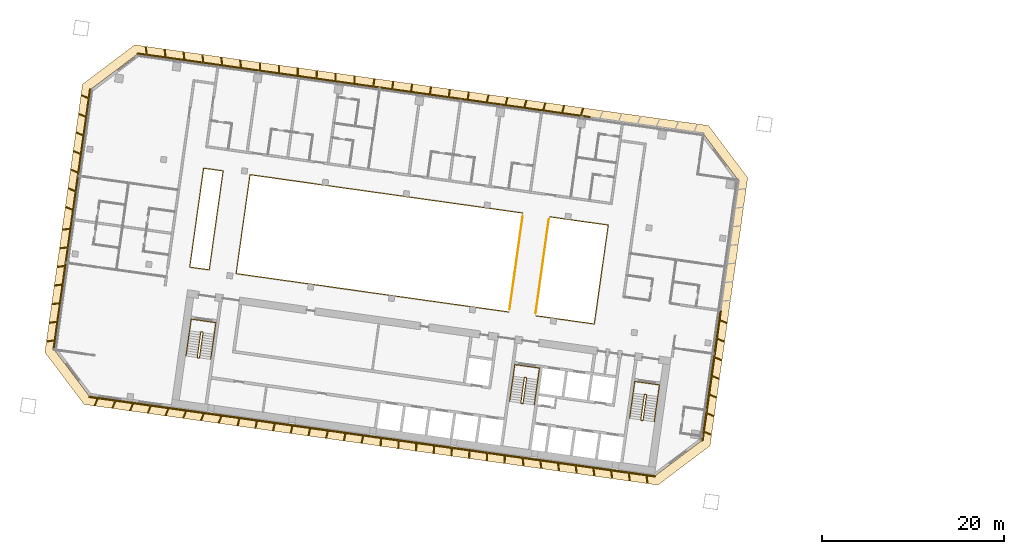
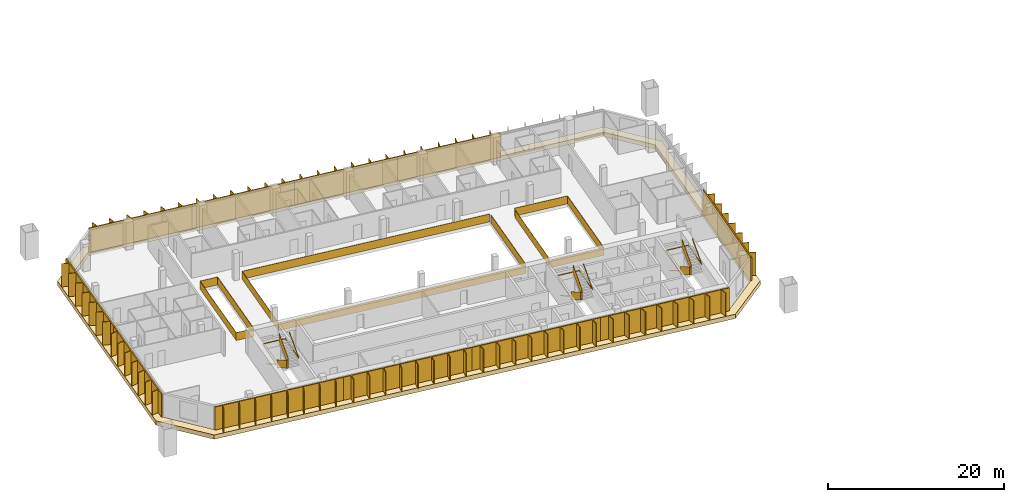
# One storey, part 23 of 25: 11 railings, 11 shading devices, 1 covering.
"""IFC4 building model written with IfcOpenShell, lengths in metres."""

from ifc_helpers import new_model, si_unit, direction, frame, origin, origin_2d, place, context, subcontext, project, spatial, polyline, rectangle, outline, extrude, material, layer, layer_set, type_object, element, save


model = new_model("IFC4")

# Units and contexts
model_context = context("Model", 3, precision=1e-05, world=origin(), true_north=direction((0.0, 1.0)))
body_context = subcontext(model_context, "Body", "Model", "MODEL_VIEW")
ifc_project = project(units=[si_unit("LENGTHUNIT", "METRE"), si_unit("AREAUNIT", "SQUARE_METRE"), si_unit("VOLUMEUNIT", "CUBIC_METRE"), si_unit("PLANEANGLEUNIT", "RADIAN"), si_unit("MASSUNIT", "GRAM", prefix="KILO")], contexts=[model_context])

# Site, building, storey
site_placement = place(None, origin())
site = spatial("IfcSite", under=ifc_project, at=site_placement, CompositionType="ELEMENT")
building_placement = place(site_placement, origin())
building = spatial("IfcBuilding", under=site, at=building_placement, Name="Mirante Cascada Hotel Towers", CompositionType="ELEMENT")
storey_placement = place(building_placement, frame((0.0, 0.0, 102.5)))
storey = spatial("IfcBuildingStorey", under=building, at=storey_placement, Name="L22", CompositionType="ELEMENT", Elevation=102.5)

# Railings
ifc_material_1 = material(Name="Toughened glass with stainless steel handrail", Category="steel")
railing_type_1 = type_object("IfcRailingType", Name="Atrium guard 1100 glass balustrade", PredefinedType="GUARDRAIL", material=ifc_material_1)
railing_1_placement = place(storey_placement, frame((-48.76, 8.3112, 0.0)))
element("IfcRailing", 1, at=railing_1_placement, inside=storey, type_object=railing_type_1, Name="GUARD 1-L22-1", PredefinedType="GUARDRAIL", context=body_context, shape_type="SweptSolid", body=[
    extrude(rectangle(XDim=0.048, YDim=0.048, at=origin_2d()), frame((0.0, 0.0, 1.076), z_axis=(0.9902694, -0.1391638, 0.0), x_axis=(0.1391638, 0.9902694, 0.0)), (0.0, 0.0, 1.0), 6.5125),
    extrude(rectangle(XDim=0.02, YDim=1.052, at=origin_2d()), frame((0.0, 0.0, 0.526), z_axis=(0.9902694, -0.1391638, 0.0), x_axis=(0.1391638, 0.9902694, 0.0)), (0.0, 0.0, 1.0), 6.5125),
    extrude(rectangle(XDim=0.048, YDim=0.048, at=origin_2d()), frame((6.4491, -0.9063, 1.076), z_axis=(-0.1391721, -0.9902682, 0.0), x_axis=(0.9902682, -0.1391721, 0.0)), (0.0, 0.0, 1.0), 11.0001),
    extrude(rectangle(XDim=0.02, YDim=1.052, at=origin_2d()), frame((6.4491, -0.9063, 0.526), z_axis=(-0.1391721, -0.9902682, 0.0), x_axis=(0.9902682, -0.1391721, 0.0)), (0.0, 0.0, 1.0), 11.0001),
    extrude(rectangle(XDim=0.048, YDim=0.048, at=origin_2d()), frame((4.9182, -11.7993, 1.076), z_axis=(-0.9902673, 0.1391788, 0.0), x_axis=(-0.1391788, -0.9902673, 0.0)), (0.0, 0.0, 1.0), 6.5125),
    extrude(rectangle(XDim=0.02, YDim=1.052, at=origin_2d()), frame((4.9182, -11.7993, 0.526), z_axis=(-0.9902673, 0.1391788, 0.0), x_axis=(-0.1391788, -0.9902673, 0.0)), (0.0, 0.0, 1.0), 6.5125),
])
railing_2_placement = place(storey_placement, frame((-53.2617, -2.1642, 0.0)))
element("IfcRailing", 2, at=railing_2_placement, inside=storey, type_object=railing_type_1, Name="GUARD 1-L22-2", PredefinedType="GUARDRAIL", context=body_context, shape_type="SweptSolid", body=[
    extrude(rectangle(XDim=0.048, YDim=0.048, at=origin_2d()), frame((0.0, 0.0, 1.076), z_axis=(-0.9902682, 0.1391722, 0.0), x_axis=(-0.1391722, -0.9902682, 0.0)), (0.0, 0.0, 1.0), 30.325),
    extrude(rectangle(XDim=0.02, YDim=1.052, at=origin_2d()), frame((0.0, 0.0, 0.526), z_axis=(-0.9902682, 0.1391722, 0.0), x_axis=(-0.1391722, -0.9902682, 0.0)), (0.0, 0.0, 1.0), 30.325),
    extrude(rectangle(XDim=0.048, YDim=0.048, at=origin_2d()), frame((-30.0299, 4.2204, 1.076), z_axis=(0.1391721, 0.9902682, 0.0), x_axis=(-0.9902682, 0.1391721, 0.0)), (0.0, 0.0, 1.0), 11.0001),
    extrude(rectangle(XDim=0.02, YDim=1.052, at=origin_2d()), frame((-30.0299, 4.2204, 0.526), z_axis=(0.1391721, 0.9902682, 0.0), x_axis=(-0.9902682, 0.1391721, 0.0)), (0.0, 0.0, 1.0), 11.0001),
    extrude(rectangle(XDim=0.048, YDim=0.048, at=origin_2d()), frame((-28.499, 15.1134, 1.076), z_axis=(0.9902682, -0.1391722, 0.0), x_axis=(0.1391722, 0.9902682, 0.0)), (0.0, 0.0, 1.0), 30.325),
    extrude(rectangle(XDim=0.02, YDim=1.052, at=origin_2d()), frame((-28.499, 15.1134, 0.526), z_axis=(0.9902682, -0.1391722, 0.0), x_axis=(0.1391722, 0.9902682, 0.0)), (0.0, 0.0, 1.0), 30.325),
])
railing_3_placement = place(storey_placement, frame((-86.2624, 2.4738, 0.0)))
element("IfcRailing", 3, at=railing_3_placement, inside=storey, type_object=railing_type_1, Name="GUARD 1-L22-3", PredefinedType="GUARDRAIL", context=body_context, shape_type="SweptSolid", body=[
    extrude(rectangle(XDim=0.048, YDim=0.048, at=origin_2d()), frame((0.0, 0.0, 1.076), z_axis=(-0.9902724, 0.1391422, 0.0), x_axis=(-0.1391422, -0.9902724, 0.0)), (0.0, 0.0, 1.0), 2.1625),
    extrude(rectangle(XDim=0.02, YDim=1.052, at=origin_2d()), frame((0.0, 0.0, 0.526), z_axis=(-0.9902724, 0.1391422, 0.0), x_axis=(-0.1391422, -0.9902724, 0.0)), (0.0, 0.0, 1.0), 2.1625),
    extrude(rectangle(XDim=0.048, YDim=0.048, at=origin_2d()), frame((-2.1415, 0.3009, 1.076), z_axis=(0.1391721, 0.9902682, 0.0), x_axis=(-0.9902682, 0.1391721, 0.0)), (0.0, 0.0, 1.0), 11.0001),
    extrude(rectangle(XDim=0.02, YDim=1.052, at=origin_2d()), frame((-2.1415, 0.3009, 0.526), z_axis=(0.1391721, 0.9902682, 0.0), x_axis=(-0.9902682, 0.1391721, 0.0)), (0.0, 0.0, 1.0), 11.0001),
    extrude(rectangle(XDim=0.048, YDim=0.048, at=origin_2d()), frame((-0.6106, 11.1939, 1.076), z_axis=(0.990266, -0.1391875, 0.0), x_axis=(0.1391875, 0.990266, 0.0)), (0.0, 0.0, 1.0), 2.1626),
    extrude(rectangle(XDim=0.02, YDim=1.052, at=origin_2d()), frame((-0.6106, 11.1939, 0.526), z_axis=(0.990266, -0.1391875, 0.0), x_axis=(0.1391875, 0.990266, 0.0)), (0.0, 0.0, 1.0), 2.1626),
    extrude(rectangle(XDim=0.048, YDim=0.048, at=origin_2d()), frame((1.5309, 10.8929, 1.076), z_axis=(-0.1391733, -0.990268, 0.0), x_axis=(0.990268, -0.1391733, 0.0)), (0.0, 0.0, 1.0), 11.0),
    extrude(rectangle(XDim=0.02, YDim=1.052, at=origin_2d()), frame((1.5309, 10.8929, 0.526), z_axis=(-0.1391733, -0.990268, 0.0), x_axis=(0.990268, -0.1391733, 0.0)), (0.0, 0.0, 1.0), 11.0),
])
railing_4_placement = place(storey_placement, frame((-53.172, -1.8782, 0.0)))
element("IfcRailing", 4, at=railing_4_placement, inside=storey, type_object=railing_type_1, Name="GUARD 1-L22-4", PredefinedType="GUARDRAIL", context=body_context, shape_type="SweptSolid", body=[
    extrude(rectangle(XDim=0.048, YDim=0.048, at=origin_2d()), frame((0.0, 0.0, 1.076), z_axis=(0.1391721, 0.9902682, 0.0), x_axis=(-0.9902682, 0.1391721, 0.0)), (0.0, 0.0, 1.0), 10.4087),
    extrude(rectangle(XDim=0.02, YDim=1.052, at=origin_2d()), frame((0.0, 0.0, 0.526), z_axis=(0.1391721, 0.9902682, 0.0), x_axis=(-0.9902682, 0.1391721, 0.0)), (0.0, 0.0, 1.0), 10.4087),
])
railing_5_placement = place(storey_placement, frame((-48.8497, 8.0253, 0.0)))
element("IfcRailing", 5, at=railing_5_placement, inside=storey, type_object=railing_type_1, Name="GUARD 1-L22-5", PredefinedType="GUARDRAIL", context=body_context, shape_type="SweptSolid", body=[
    extrude(rectangle(XDim=0.048, YDim=0.048, at=origin_2d()), frame((0.0, 0.0, 1.076), z_axis=(-0.1391708, -0.9902684, 0.0), x_axis=(0.9902684, -0.1391708, 0.0)), (0.0, 0.0, 1.0), 10.4088),
    extrude(rectangle(XDim=0.02, YDim=1.052, at=origin_2d()), frame((0.0, 0.0, 0.526), z_axis=(-0.1391708, -0.9902684, 0.0), x_axis=(0.9902684, -0.1391708, 0.0)), (0.0, 0.0, 1.0), 10.4088),
])

# Covering
ifc_material_2 = material(Name="Precast concrete C40/50 white", Category="concrete")
ifc_layer = layer(ifc_material_2, 0.6)
ifc_layer_set = layer_set([ifc_layer], Name="Precast concrete SUNSHADE band 1000x600")
covering_type = type_object("IfcCoveringType", Name="Precast concrete SUNSHADE band 1000x600", PredefinedType="CLADDING", material=ifc_layer_set)
covering_placement = place(storey_placement, frame((0.0, 0.0, -0.45)))
element("IfcCovering", 6, at=covering_placement, inside=storey, type_object=covering_type, Name="Precast concrete SUNSHADE band T1 L22", PredefinedType="CLADDING", context=body_context, shape_type="SweptSolid", body=[
    extrude(outline(polyline([(-104.3652, -6.6094), (-100.2139, 22.9287), (-94.4698, 27.2572), (-31.2626, 18.374), (-26.9341, 12.6299), (-31.0854, -16.9082), (-36.8295, -21.2367), (-100.0367, -12.3535), (-104.3652, -6.6094)]), holes=[polyline([(-27.982, 12.3589), (-31.8119, 17.4414), (-94.1988, 26.2093), (-99.2813, 22.3794), (-103.3173, -6.3384), (-99.4874, -11.4209), (-37.1005, -20.1888), (-32.018, -16.3589), (-27.982, 12.3589)])]), origin(), (0.0, 0.0, 1.0), 0.6),
])

# Railings
ifc_material_3 = material(Name="Painted steel", Category="steel")
railing_type_2 = type_object("IfcRailingType", Name="Stair guard 1100 steel balustrade", PredefinedType="GUARDRAIL", material=ifc_material_3)
railing_6_placement = place(storey_placement, frame((-38.1178, -11.2603, 0.0)))
element("IfcRailing", 7, at=railing_6_placement, inside=storey, type_object=railing_type_2, Name="L22 ST1-A stair guard 1", PredefinedType="GUARDRAIL", context=body_context, shape_type="SweptSolid", body=[
    extrude(rectangle(XDim=0.048, YDim=0.048, at=origin_2d()), frame((0.0, 0.0, 1.076), z_axis=(-0.9903326, 0.1387133, 0.0), x_axis=(-0.1387133, -0.9903326, 0.0)), (0.0, 0.0, 1.0), 0.1499),
    extrude(rectangle(XDim=0.02, YDim=1.052, at=origin_2d()), frame((0.0, 0.0, 0.526), z_axis=(-0.9903326, 0.1387133, 0.0), x_axis=(-0.1387133, -0.9903326, 0.0)), (0.0, 0.0, 1.0), 0.1499),
    extrude(rectangle(XDim=0.048, YDim=0.048, at=origin_2d()), frame((-0.1485, 0.0208, 1.076), z_axis=(-0.7991505, -0.6011309, 0.0), x_axis=(0.6011309, -0.7991505, 0.0)), (0.0, 0.9254529, 0.3788627), 0.1866),
    extrude(rectangle(XDim=0.02, YDim=1.052, at=origin_2d()), frame((-0.1485, 0.0208, 0.526), z_axis=(-0.7991505, -0.6011309, 0.0), x_axis=(0.6011309, -0.7991505, 0.0)), (0.0, 0.9254529, 0.3788627), 0.1866),
    extrude(rectangle(XDim=0.048, YDim=0.048, at=origin_2d()), frame((-0.205, -0.0217, 1.2487), z_axis=(-0.139176, -0.9902677, 0.0), x_axis=(0.9902677, -0.139176, 0.0)), (0.0, 0.5250212, 0.8510891), 3.29),
    extrude(rectangle(XDim=0.02, YDim=1.052, at=origin_2d()), frame((-0.205, -0.0217, 0.6987), z_axis=(-0.139176, -0.9902677, 0.0), x_axis=(0.9902677, -0.139176, 0.0)), (0.0, 0.5250212, 0.8510891), 3.29),
    extrude(rectangle(XDim=0.048, YDim=0.048, at=origin_2d()), frame((-0.5947, -2.7945, 2.976), z_axis=(0.9270311, -0.3749843, 0.0), x_axis=(0.3749843, 0.9270311, 0.0)), (0.0, 0.0, 1.0), 0.2061),
    extrude(rectangle(XDim=0.02, YDim=1.052, at=origin_2d()), frame((-0.5947, -2.7945, 2.426), z_axis=(0.9270311, -0.3749843, 0.0), x_axis=(0.3749843, 0.9270311, 0.0)), (0.0, 0.0, 1.0), 0.2061),
    extrude(rectangle(XDim=0.048, YDim=0.048, at=origin_2d()), frame((-0.4036, -2.8718, 2.976), z_axis=(-0.9902408, 0.1393672, 0.0), x_axis=(-0.1393672, -0.9902408, 0.0)), (0.0, 0.0, 1.0), 0.15),
    extrude(rectangle(XDim=0.02, YDim=1.052, at=origin_2d()), frame((-0.4036, -2.8718, 2.426), z_axis=(-0.9902408, 0.1393672, 0.0), x_axis=(-0.1393672, -0.9902408, 0.0)), (0.0, 0.0, 1.0), 0.15),
    extrude(rectangle(XDim=0.048, YDim=0.048, at=origin_2d()), frame((-0.5521, -2.8509, 2.976), z_axis=(0.9944948, 0.1047858, 0.0), x_axis=(-0.1047858, 0.9944948, 0.0)), (0.0, 0.6422034, 0.7665343), 0.2689),
    extrude(rectangle(XDim=0.02, YDim=1.052, at=origin_2d()), frame((-0.5521, -2.8509, 2.426), z_axis=(0.9944948, 0.1047858, 0.0), x_axis=(-0.1047858, 0.9944948, 0.0)), (0.0, 0.6422034, 0.7665343), 0.2689),
    extrude(rectangle(XDim=0.048, YDim=0.048, at=origin_2d()), frame((-0.3471, -2.8293, 3.1487), z_axis=(0.139176, 0.9902677, 0.0), x_axis=(-0.9902677, 0.139176, 0.0)), (0.0, 0.5250212, 0.8510891), 3.29),
    extrude(rectangle(XDim=0.02, YDim=1.052, at=origin_2d()), frame((-0.3471, -2.8293, 2.5987), z_axis=(0.139176, 0.9902677, 0.0), x_axis=(-0.9902677, 0.139176, 0.0)), (0.0, 0.5250212, 0.8510891), 3.29),
])
railing_7_placement = place(storey_placement, frame((-51.3379, -9.4024, 0.0)))
element("IfcRailing", 8, at=railing_7_placement, inside=storey, type_object=railing_type_2, Name="L22 ST1-B stair guard 1", PredefinedType="GUARDRAIL", context=body_context, shape_type="SweptSolid", body=[
    extrude(rectangle(XDim=0.048, YDim=0.048, at=origin_2d()), frame((0.0, 0.0, 1.076), z_axis=(-0.9902408, 0.1393672, 0.0), x_axis=(-0.1393672, -0.9902408, 0.0)), (0.0, 0.0, 1.0), 0.15),
    extrude(rectangle(XDim=0.02, YDim=1.052, at=origin_2d()), frame((0.0, 0.0, 0.526), z_axis=(-0.9902408, 0.1393672, 0.0), x_axis=(-0.1393672, -0.9902408, 0.0)), (0.0, 0.0, 1.0), 0.15),
    extrude(rectangle(XDim=0.048, YDim=0.048, at=origin_2d()), frame((-0.1485, 0.0209, 1.076), z_axis=(-0.7984711, -0.6020331, 0.0), x_axis=(0.6020331, -0.7984711, 0.0)), (0.0, 0.9253398, 0.3791387), 0.1866),
    extrude(rectangle(XDim=0.02, YDim=1.052, at=origin_2d()), frame((-0.1485, 0.0209, 0.526), z_axis=(-0.7984711, -0.6020331, 0.0), x_axis=(0.6020331, -0.7984711, 0.0)), (0.0, 0.9253398, 0.3791387), 0.1866),
    extrude(rectangle(XDim=0.048, YDim=0.048, at=origin_2d()), frame((-0.205, -0.0217, 1.2487), z_axis=(-0.139181, -0.990267, 0.0), x_axis=(0.990267, -0.139181, 0.0)), (0.0, 0.5250347, 0.8510808), 3.2899),
    extrude(rectangle(XDim=0.02, YDim=1.052, at=origin_2d()), frame((-0.205, -0.0217, 0.6987), z_axis=(-0.139181, -0.990267, 0.0), x_axis=(0.990267, -0.139181, 0.0)), (0.0, 0.5250347, 0.8510808), 3.2899),
    extrude(rectangle(XDim=0.048, YDim=0.048, at=origin_2d()), frame((-0.5947, -2.7944, 2.976), z_axis=(0.9268624, -0.3754011, 0.0), x_axis=(0.3754011, 0.9268624, 0.0)), (0.0, 0.0, 1.0), 0.2062),
    extrude(rectangle(XDim=0.02, YDim=1.052, at=origin_2d()), frame((-0.5947, -2.7944, 2.426), z_axis=(0.9268624, -0.3754011, 0.0), x_axis=(0.3754011, 0.9268624, 0.0)), (0.0, 0.0, 1.0), 0.2062),
    extrude(rectangle(XDim=0.048, YDim=0.048, at=origin_2d()), frame((-0.4036, -2.8718, 2.976), z_axis=(-0.9902408, 0.1393672, 0.0), x_axis=(-0.1393672, -0.9902408, 0.0)), (0.0, 0.0, 1.0), 0.15),
    extrude(rectangle(XDim=0.02, YDim=1.052, at=origin_2d()), frame((-0.4036, -2.8718, 2.426), z_axis=(-0.9902408, 0.1393672, 0.0), x_axis=(-0.1393672, -0.9902408, 0.0)), (0.0, 0.0, 1.0), 0.15),
    extrude(rectangle(XDim=0.048, YDim=0.048, at=origin_2d()), frame((-0.5521, -2.8509, 2.976), z_axis=(0.9944441, 0.1052656, 0.0), x_axis=(-0.1052656, 0.9944441, 0.0)), (0.0, 0.6421842, 0.7665504), 0.2689),
    extrude(rectangle(XDim=0.02, YDim=1.052, at=origin_2d()), frame((-0.5521, -2.8509, 2.426), z_axis=(0.9944441, 0.1052656, 0.0), x_axis=(-0.1052656, 0.9944441, 0.0)), (0.0, 0.6421842, 0.7665504), 0.2689),
    extrude(rectangle(XDim=0.048, YDim=0.048, at=origin_2d()), frame((-0.3471, -2.8292, 3.1487), z_axis=(0.139181, 0.990267, 0.0), x_axis=(-0.990267, 0.139181, 0.0)), (0.0, 0.5250347, 0.8510808), 3.2899),
    extrude(rectangle(XDim=0.02, YDim=1.052, at=origin_2d()), frame((-0.3471, -2.8292, 2.5987), z_axis=(0.139181, 0.990267, 0.0), x_axis=(-0.990267, 0.139181, 0.0)), (0.0, 0.5250347, 0.8510808), 3.2899),
])
railing_8_placement = place(storey_placement, frame((-86.9875, -4.3922, 0.0)))
element("IfcRailing", 9, at=railing_8_placement, inside=storey, type_object=railing_type_2, Name="L22 ST1-C stair guard 1", PredefinedType="GUARDRAIL", context=body_context, shape_type="SweptSolid", body=[
    extrude(rectangle(XDim=0.048, YDim=0.048, at=origin_2d()), frame((0.0, 0.0, 1.076), z_axis=(-0.9902537, 0.1392753, 0.0), x_axis=(-0.1392753, -0.9902537, 0.0)), (0.0, 0.0, 1.0), 0.1501),
    extrude(rectangle(XDim=0.02, YDim=1.052, at=origin_2d()), frame((0.0, 0.0, 0.526), z_axis=(-0.9902537, 0.1392753, 0.0), x_axis=(-0.1392753, -0.9902537, 0.0)), (0.0, 0.0, 1.0), 0.1501),
    extrude(rectangle(XDim=0.048, YDim=0.048, at=origin_2d()), frame((-0.1486, 0.0209, 1.076), z_axis=(-0.7986386, -0.601811, 0.0), x_axis=(0.601811, -0.7986386, 0.0)), (0.0, 0.925603, 0.3784959), 0.1866),
    extrude(rectangle(XDim=0.02, YDim=1.052, at=origin_2d()), frame((-0.1486, 0.0209, 0.526), z_axis=(-0.7986386, -0.601811, 0.0), x_axis=(0.601811, -0.7986386, 0.0)), (0.0, 0.925603, 0.3784959), 0.1866),
    extrude(rectangle(XDim=0.048, YDim=0.048, at=origin_2d()), frame((-0.205, -0.0216, 1.2487), z_axis=(-0.139176, -0.9902677, 0.0), x_axis=(0.9902677, -0.139176, 0.0)), (0.0, 0.5250212, 0.8510891), 3.29),
    extrude(rectangle(XDim=0.02, YDim=1.052, at=origin_2d()), frame((-0.205, -0.0216, 0.6987), z_axis=(-0.139176, -0.9902677, 0.0), x_axis=(0.9902677, -0.139176, 0.0)), (0.0, 0.5250212, 0.8510891), 3.29),
    extrude(rectangle(XDim=0.048, YDim=0.048, at=origin_2d()), frame((-0.5947, -2.7944, 2.976), z_axis=(0.9270311, -0.3749843, 0.0), x_axis=(0.3749843, 0.9270311, 0.0)), (0.0, 0.0, 1.0), 0.2061),
    extrude(rectangle(XDim=0.02, YDim=1.052, at=origin_2d()), frame((-0.5947, -2.7944, 2.426), z_axis=(0.9270311, -0.3749843, 0.0), x_axis=(0.3749843, 0.9270311, 0.0)), (0.0, 0.0, 1.0), 0.2061),
    extrude(rectangle(XDim=0.048, YDim=0.048, at=origin_2d()), frame((-0.4036, -2.8717, 2.976), z_axis=(-0.9903454, 0.1386217, 0.0), x_axis=(-0.1386217, -0.9903454, 0.0)), (0.0, 0.0, 1.0), 0.15),
    extrude(rectangle(XDim=0.02, YDim=1.052, at=origin_2d()), frame((-0.4036, -2.8717, 2.426), z_axis=(-0.9903454, 0.1386217, 0.0), x_axis=(-0.1386217, -0.9903454, 0.0)), (0.0, 0.0, 1.0), 0.15),
    extrude(rectangle(XDim=0.048, YDim=0.048, at=origin_2d()), frame((-0.5522, -2.8509, 2.976), z_axis=(0.9944441, 0.1052656, 0.0), x_axis=(-0.1052656, 0.9944441, 0.0)), (0.0, 0.6421842, 0.7665504), 0.2689),
    extrude(rectangle(XDim=0.02, YDim=1.052, at=origin_2d()), frame((-0.5522, -2.8509, 2.426), z_axis=(0.9944441, 0.1052656, 0.0), x_axis=(-0.1052656, 0.9944441, 0.0)), (0.0, 0.6421842, 0.7665504), 0.2689),
    extrude(rectangle(XDim=0.048, YDim=0.048, at=origin_2d()), frame((-0.3472, -2.8292, 3.1487), z_axis=(0.139176, 0.9902677, 0.0), x_axis=(-0.9902677, 0.139176, 0.0)), (0.0, 0.5250212, 0.8510891), 3.29),
    extrude(rectangle(XDim=0.02, YDim=1.052, at=origin_2d()), frame((-0.3472, -2.8292, 2.5987), z_axis=(0.139176, 0.9902677, 0.0), x_axis=(-0.9902677, 0.139176, 0.0)), (0.0, 0.5250212, 0.8510891), 3.29),
])
ifc_material_4 = material(Name="Painted steel", Category="steel")
railing_type_3 = type_object("IfcRailingType", Name="Stair handrail 900 steel tube", PredefinedType="HANDRAIL", material=ifc_material_4)
railing_9_placement = place(storey_placement, frame((-39.5606, -11.1081, 0.1727)))
element("IfcRailing", 10, at=railing_9_placement, inside=storey, type_object=railing_type_3, Name="L22 ST1-A stair handrail 1", PredefinedType="HANDRAIL", context=body_context, shape_type="SweptSolid", body=[
    extrude(rectangle(XDim=0.048, YDim=0.048, at=origin_2d()), frame((0.0, 0.0, 0.876), z_axis=(-0.139181, -0.990267, 0.0), x_axis=(0.990267, -0.139181, 0.0)), (0.0, 0.5250347, 0.8510808), 3.2899),
    extrude(rectangle(XDim=0.048, YDim=0.048, at=origin_2d()), frame((-0.3897, -2.7727, 2.6033), z_axis=(0.1391707, 0.9902684, 0.0), x_axis=(-0.9902684, 0.1391707, 0.0)), (0.0, 0.0420846, 0.999114), 4.1036),
    extrude(rectangle(XDim=0.048, YDim=0.048, at=origin_2d()), frame((0.1809, 1.2874, 2.776), z_axis=(0.9902691, -0.1391657, 0.0), x_axis=(0.1391657, 0.9902691, 0.0)), (0.0, 0.0, 1.0), 2.75),
    extrude(rectangle(XDim=0.048, YDim=0.048, at=origin_2d()), frame((2.9041, 0.9047, 2.776), z_axis=(-0.1391707, -0.9902684, 0.0), x_axis=(0.9902684, -0.1391707, 0.0)), (0.0, 0.0, 1.0), 4.1),
    extrude(rectangle(XDim=0.048, YDim=0.048, at=origin_2d()), frame((2.3335, -3.1554, 2.776), z_axis=(0.139181, 0.990267, 0.0), x_axis=(-0.990267, 0.139181, 0.0)), (0.0, 0.5250347, 0.8510808), 3.2899),
])
railing_10_placement = place(storey_placement, frame((-52.7807, -9.2501, 0.1727)))
element("IfcRailing", 11, at=railing_10_placement, inside=storey, type_object=railing_type_3, Name="L22 ST1-B stair handrail 1", PredefinedType="HANDRAIL", context=body_context, shape_type="SweptSolid", body=[
    extrude(rectangle(XDim=0.048, YDim=0.048, at=origin_2d()), frame((0.0, 0.0, 0.876), z_axis=(-0.139181, -0.990267, 0.0), x_axis=(0.990267, -0.139181, 0.0)), (0.0, 0.5250347, 0.8510808), 3.2899),
    extrude(rectangle(XDim=0.048, YDim=0.048, at=origin_2d()), frame((-0.3897, -2.7727, 2.6033), z_axis=(0.1391707, 0.9902684, 0.0), x_axis=(-0.9902684, 0.1391707, 0.0)), (0.0, 0.0420846, 0.999114), 4.1036),
    extrude(rectangle(XDim=0.048, YDim=0.048, at=origin_2d()), frame((0.1809, 1.2874, 2.776), z_axis=(0.9902641, -0.1392013, 0.0), x_axis=(0.1392013, 0.9902641, 0.0)), (0.0, 0.0, 1.0), 2.75),
    extrude(rectangle(XDim=0.048, YDim=0.048, at=origin_2d()), frame((2.9041, 0.9046, 2.776), z_axis=(-0.1391707, -0.9902684, 0.0), x_axis=(0.9902684, -0.1391707, 0.0)), (0.0, 0.0, 1.0), 4.1),
    extrude(rectangle(XDim=0.048, YDim=0.048, at=origin_2d()), frame((2.3335, -3.1555, 2.776), z_axis=(0.139176, 0.9902677, 0.0), x_axis=(-0.9902677, 0.139176, 0.0)), (0.0, 0.5250212, 0.8510891), 3.29),
])
railing_11_placement = place(storey_placement, frame((-88.4304, -4.2399, 0.1727)))
element("IfcRailing", 12, at=railing_11_placement, inside=storey, type_object=railing_type_3, Name="L22 ST1-C stair handrail 1", PredefinedType="HANDRAIL", context=body_context, shape_type="SweptSolid", body=[
    extrude(rectangle(XDim=0.048, YDim=0.048, at=origin_2d()), frame((0.0, 0.0, 0.876), z_axis=(-0.139181, -0.990267, 0.0), x_axis=(0.990267, -0.139181, 0.0)), (0.0, 0.5250347, 0.8510808), 3.2899),
    extrude(rectangle(XDim=0.048, YDim=0.048, at=origin_2d()), frame((-0.3897, -2.7727, 2.6033), z_axis=(0.1391947, 0.990265, 0.0), x_axis=(-0.990265, 0.1391947, 0.0)), (0.0, 0.0420845, 0.9991141), 4.1036),
    extrude(rectangle(XDim=0.048, YDim=0.048, at=origin_2d()), frame((0.181, 1.2874, 2.776), z_axis=(0.9902691, -0.1391657, 0.0), x_axis=(0.1391657, 0.9902691, 0.0)), (0.0, 0.0, 1.0), 2.75),
    extrude(rectangle(XDim=0.048, YDim=0.048, at=origin_2d()), frame((2.9042, 0.9047, 2.776), z_axis=(-0.1391707, -0.9902684, 0.0), x_axis=(0.9902684, -0.1391707, 0.0)), (0.0, 0.0, 1.0), 4.1),
    extrude(rectangle(XDim=0.048, YDim=0.048, at=origin_2d()), frame((2.3336, -3.1554, 2.776), z_axis=(0.139181, 0.990267, 0.0), x_axis=(-0.990267, 0.139181, 0.0)), (0.0, 0.5250347, 0.8510808), 3.2899),
])

# Shading devices
ifc_material_5 = material(Name="White precast concrete C50/60 fin", Category="concrete")
shading_device_type = type_object("IfcShadingDeviceType", Name="Vertical fin set 4500x900", PredefinedType="USERDEFINED", material=ifc_material_5)
shading_device_1_placement = place(storey_placement, origin())
element("IfcShadingDevice", 13, at=shading_device_1_placement, inside=storey, type_object=shading_device_type, Name="FIN T1 L22 front 1", ObjectType="FIN", PredefinedType="USERDEFINED", context=body_context, shape_type="SweptSolid", body=[
    extrude(outline(polyline([(-82.8173, 25.599), (-82.7126, 24.7465), (-81.7006, 24.6042), (-81.7214, 24.4557), (-94.1988, 26.2093), (-94.1779, 26.3578), (-93.1924, 26.2193), (-93.2945, 27.0506), (-93.2151, 27.0603), (-93.1104, 26.2078), (-91.1129, 25.9271), (-91.2149, 26.7583), (-91.1355, 26.7681), (-91.0308, 25.9155), (-89.0333, 25.6348), (-89.1354, 26.4661), (-89.056, 26.4758), (-88.9513, 25.6233), (-86.9537, 25.3425), (-87.0558, 26.1738), (-86.9764, 26.1835), (-86.8717, 25.331), (-84.8742, 25.0503), (-84.9762, 25.8815), (-84.8968, 25.8913), (-84.7922, 25.0387), (-82.7946, 24.758), (-82.8967, 25.5893), (-82.8173, 25.599)])), origin(), (0.0, 0.0, 1.0), 3.35),
])
shading_device_2_placement = place(storey_placement, origin())
element("IfcShadingDevice", 14, at=shading_device_2_placement, inside=storey, type_object=shading_device_type, Name="FIN T1 L22 front 2", ObjectType="FIN", PredefinedType="USERDEFINED", context=body_context, shape_type="SweptSolid", body=[
    extrude(outline(polyline([(-70.2221, 23.8469), (-70.2295, 22.9921), (-69.2232, 22.8507), (-69.2441, 22.7021), (-81.7214, 24.4557), (-81.7006, 24.6042), (-80.7072, 24.4646), (-80.6999, 25.3089), (-80.6199, 25.3082), (-80.6273, 24.4534), (-78.6277, 24.1724), (-78.6203, 25.0166), (-78.5403, 25.0159), (-78.5478, 24.1611), (-76.5481, 23.8801), (-76.5407, 24.7244), (-76.4608, 24.7237), (-76.4682, 23.8689), (-74.4686, 23.5878), (-74.4612, 24.4321), (-74.3812, 24.4314), (-74.3886, 23.5766), (-72.389, 23.2956), (-72.3816, 24.1399), (-72.3016, 24.1392), (-72.3091, 23.2844), (-70.3094, 23.0033), (-70.3021, 23.8476), (-70.2221, 23.8469)])), origin(), (0.0, 0.0, 1.0), 3.35),
])
shading_device_3_placement = place(storey_placement, origin())
element("IfcShadingDevice", 15, at=shading_device_3_placement, inside=storey, type_object=shading_device_type, Name="FIN T1 L22 front 3", ObjectType="FIN", PredefinedType="USERDEFINED", context=body_context, shape_type="SweptSolid", body=[
    extrude(outline(polyline([(-57.6277, 22.0794), (-57.746, 21.2376), (-56.7458, 21.0971), (-56.7667, 20.9485), (-69.2441, 22.7021), (-69.2232, 22.8507), (-68.223, 22.7101), (-68.1047, 23.5518), (-68.0255, 23.5407), (-68.1438, 22.699), (-66.1434, 22.4178), (-66.0251, 23.2596), (-65.9459, 23.2484), (-66.0642, 22.4067), (-64.0639, 22.1256), (-63.9456, 22.9673), (-63.8664, 22.9562), (-63.9847, 22.1144), (-61.9843, 21.8333), (-61.866, 22.675), (-61.7868, 22.6639), (-61.9051, 21.8222), (-59.9048, 21.541), (-59.7865, 22.3828), (-59.7072, 22.3716), (-59.8255, 21.5299), (-57.8252, 21.2488), (-57.7069, 22.0905), (-57.6277, 22.0794)])), origin(), (0.0, 0.0, 1.0), 3.35),
])
shading_device_4_placement = place(storey_placement, origin())
element("IfcShadingDevice", 16, at=shading_device_4_placement, inside=storey, type_object=shading_device_type, Name="FIN T1 L22 front 4", ObjectType="FIN", PredefinedType="USERDEFINED", context=body_context, shape_type="SweptSolid", body=[
    extrude(outline(polyline([(-45.0361, 20.2967), (-45.2617, 19.4831), (-44.2684, 19.3435), (-44.2893, 19.195), (-56.7667, 20.9485), (-56.7458, 21.0971), (-55.7394, 20.9556), (-55.511, 21.7794), (-55.4339, 21.758), (-55.6595, 20.9444), (-53.6599, 20.6634), (-53.4314, 21.4871), (-53.3544, 21.4657), (-53.58, 20.6521), (-51.5803, 20.3711), (-51.3519, 21.1949), (-51.2748, 21.1735), (-51.5004, 20.3599), (-49.5008, 20.0789), (-49.2723, 20.9026), (-49.1952, 20.8812), (-49.4209, 20.0676), (-47.4212, 19.7866), (-47.1928, 20.6103), (-47.1157, 20.589), (-47.3413, 19.7754), (-45.3416, 19.4943), (-45.1132, 20.3181), (-45.0361, 20.2967)])), origin(), (0.0, 0.0, 1.0), 3.35),
])
shading_device_5_placement = place(storey_placement, origin())
element("IfcShadingDevice", 17, at=shading_device_5_placement, inside=storey, type_object=shading_device_type, Name="FIN T1 L22 inner 2", ObjectType="FIN", PredefinedType="USERDEFINED", context=body_context, shape_type="SweptSolid", body=[
    extrude(outline(polyline([(-31.733, -15.4084), (-31.8695, -16.3798), (-32.018, -16.3589), (-30.0, -2.0), (-29.8515, -2.0209), (-29.9917, -3.0188), (-29.201, -3.3544), (-29.2323, -3.428), (-30.0032, -3.1008), (-30.28, -5.07), (-29.4893, -5.4057), (-29.5206, -5.4793), (-30.2915, -5.1521), (-30.5683, -7.1213), (-29.7776, -7.4569), (-29.8089, -7.5306), (-30.5798, -7.2033), (-30.8566, -9.1726), (-30.0659, -9.5082), (-30.0972, -9.5818), (-30.8681, -9.2546), (-31.1449, -11.2238), (-30.3542, -11.5595), (-30.3854, -11.6331), (-31.1564, -11.3059), (-31.4331, -13.2751), (-30.6425, -13.6107), (-30.6737, -13.6844), (-31.4447, -13.3571), (-31.7214, -15.3264), (-30.9308, -15.662), (-30.962, -15.7356), (-31.733, -15.4084)])), origin(), (0.0, 0.0, 1.0), 3.35),
])
shading_device_6_placement = place(storey_placement, origin())
element("IfcShadingDevice", 18, at=shading_device_6_placement, inside=storey, type_object=shading_device_type, Name="FIN T1 L22 outer 1", ObjectType="FIN", PredefinedType="USERDEFINED", context=body_context, shape_type="SweptSolid", body=[
    extrude(outline(polyline([(-103.3178, -5.2642), (-103.041, -3.2949), (-103.8723, -3.397), (-103.8821, -3.3176), (-103.0295, -3.2129), (-102.7528, -1.2436), (-103.584, -1.3457), (-103.5938, -1.2663), (-102.7412, -1.1616), (-102.4645, 0.8076), (-103.2957, 0.7056), (-103.3055, 0.785), (-102.4529, 0.8896), (-102.1762, 2.8589), (-103.0075, 2.7568), (-103.0172, 2.8362), (-102.1647, 2.9409), (-101.8879, 4.9102), (-102.7192, 4.8081), (-102.7289, 4.8875), (-101.8764, 4.9922), (-101.5996, 6.9614), (-102.4309, 6.8594), (-102.4406, 6.9388), (-101.5881, 7.0434), (-101.4478, 8.0413), (-101.2993, 8.0205), (-103.3173, -6.3384), (-103.4659, -6.3175), (-103.3293, -5.3462), (-104.1606, -5.4483), (-104.1704, -5.3689), (-103.3178, -5.2642)])), origin(), (0.0, 0.0, 1.0), 3.35),
])
shading_device_7_placement = place(storey_placement, origin())
element("IfcShadingDevice", 19, at=shading_device_7_placement, inside=storey, type_object=shading_device_type, Name="FIN T1 L22 outer 2", ObjectType="FIN", PredefinedType="USERDEFINED", context=body_context, shape_type="SweptSolid", body=[
    extrude(outline(polyline([(-101.2961, 9.1212), (-101.0193, 11.0905), (-101.81, 11.4261), (-101.7787, 11.4998), (-101.0078, 11.1725), (-100.731, 13.1418), (-101.5217, 13.4774), (-101.4904, 13.551), (-100.7195, 13.2238), (-100.4427, 15.193), (-101.2334, 15.5287), (-101.2021, 15.6023), (-100.4312, 15.2751), (-100.1544, 17.2443), (-100.9451, 17.5799), (-100.9139, 17.6536), (-100.1429, 17.3263), (-99.8662, 19.2956), (-100.6568, 19.6312), (-100.6256, 19.7048), (-99.8546, 19.3776), (-99.5779, 21.3469), (-100.3685, 21.6825), (-100.3373, 21.7561), (-99.5663, 21.4289), (-99.4298, 22.4002), (-99.2813, 22.3794), (-101.2993, 8.0205), (-101.4478, 8.0413), (-101.3076, 9.0392), (-102.0983, 9.3749), (-102.067, 9.4485), (-101.2961, 9.1212)])), origin(), (0.0, 0.0, 1.0), 3.35),
])
shading_device_8_placement = place(storey_placement, origin())
element("IfcShadingDevice", 20, at=shading_device_8_placement, inside=storey, type_object=shading_device_type, Name="FIN T1 L22 rear 1", ObjectType="FIN", PredefinedType="USERDEFINED", context=body_context, shape_type="SweptSolid", body=[
    extrude(outline(polyline([(-38.1239, -20.1965), (-39.9915, -19.934), (-39.8894, -20.7653), (-39.9688, -20.775), (-40.0735, -19.9225), (-41.9411, -19.66), (-41.839, -20.4913), (-41.9184, -20.501), (-42.0231, -19.6485), (-43.8907, -19.386), (-43.7886, -20.2173), (-43.868, -20.227), (-43.9727, -19.3745), (-45.8403, -19.112), (-45.7382, -19.9433), (-45.8176, -19.953), (-45.9223, -19.1005), (-47.7898, -18.838), (-47.6878, -19.6693), (-47.7672, -19.679), (-47.8719, -18.8265), (-49.7394, -18.564), (-49.6374, -19.3953), (-49.7168, -19.405), (-49.8214, -18.5525), (-51.689, -18.29), (-51.587, -19.1213), (-51.6664, -19.131), (-51.771, -18.2785), (-52.7181, -18.1454), (-52.6972, -17.9968), (-37.1005, -20.1888), (-37.1214, -20.3374), (-38.0419, -20.208), (-37.9398, -21.0393), (-38.0192, -21.049), (-38.1239, -20.1965)])), origin(), (0.0, 0.0, 1.0), 3.35),
])
shading_device_9_placement = place(storey_placement, origin())
element("IfcShadingDevice", 21, at=shading_device_9_placement, inside=storey, type_object=shading_device_type, Name="FIN T1 L22 rear 2", ObjectType="FIN", PredefinedType="USERDEFINED", context=body_context, shape_type="SweptSolid", body=[
    extrude(outline(polyline([(-53.7283, -18.0034), (-55.5984, -17.7406), (-55.6427, -18.5857), (-55.7226, -18.5815), (-55.6779, -17.7294), (-57.548, -17.4666), (-57.5923, -18.3117), (-57.6722, -18.3075), (-57.6275, -17.4554), (-59.4976, -17.1926), (-59.5419, -18.0377), (-59.6217, -18.0335), (-59.5771, -17.1814), (-61.4472, -16.9186), (-61.4914, -17.7637), (-61.5713, -17.7596), (-61.5267, -16.9074), (-63.3967, -16.6446), (-63.441, -17.4897), (-63.5209, -17.4856), (-63.4763, -16.6334), (-65.3463, -16.3706), (-65.3906, -17.2157), (-65.4705, -17.2116), (-65.4259, -16.3594), (-67.2959, -16.0966), (-67.3402, -16.9417), (-67.4201, -16.9376), (-67.3755, -16.0854), (-68.3148, -15.9534), (-68.2939, -15.8049), (-52.6972, -17.9968), (-52.7181, -18.1454), (-53.6488, -18.0146), (-53.6931, -18.8597), (-53.773, -18.8555), (-53.7283, -18.0034)])), origin(), (0.0, 0.0, 1.0), 3.35),
])
shading_device_10_placement = place(storey_placement, origin())
element("IfcShadingDevice", 22, at=shading_device_10_placement, inside=storey, type_object=shading_device_type, Name="FIN T1 L22 rear 3", ObjectType="FIN", PredefinedType="USERDEFINED", context=body_context, shape_type="SweptSolid", body=[
    extrude(outline(polyline([(-69.3337, -15.8102), (-71.2038, -15.5474), (-71.3957, -16.3788), (-71.4737, -16.3608), (-71.2833, -15.5362), (-73.1534, -15.2734), (-73.3453, -16.1048), (-73.4233, -16.0868), (-73.2329, -15.2622), (-75.103, -14.9994), (-75.2949, -15.8308), (-75.3729, -15.8128), (-75.1825, -14.9882), (-77.0525, -14.7254), (-77.2445, -15.5568), (-77.3224, -15.5388), (-77.1321, -14.7142), (-79.0021, -14.4514), (-79.1941, -15.2828), (-79.272, -15.2648), (-79.0817, -14.4402), (-80.9517, -14.1774), (-81.1437, -15.0088), (-81.2216, -14.9908), (-81.0312, -14.1662), (-82.9013, -13.9034), (-83.0933, -14.7348), (-83.1712, -14.7168), (-82.9808, -13.8922), (-83.9115, -13.7614), (-83.8907, -13.6129), (-68.2939, -15.8049), (-68.3148, -15.9534), (-69.2542, -15.8214), (-69.4461, -16.6528), (-69.5241, -16.6348), (-69.3337, -15.8102)])), origin(), (0.0, 0.0, 1.0), 3.35),
])
shading_device_11_placement = place(storey_placement, origin())
element("IfcShadingDevice", 23, at=shading_device_11_placement, inside=storey, type_object=shading_device_type, Name="FIN T1 L22 rear 4", ObjectType="FIN", PredefinedType="USERDEFINED", context=body_context, shape_type="SweptSolid", body=[
    extrude(outline(polyline([(-84.9406, -13.6168), (-86.8082, -13.3543), (-87.1438, -14.145), (-87.2174, -14.1137), (-86.8902, -13.3428), (-88.7578, -13.0803), (-89.0934, -13.871), (-89.167, -13.8397), (-88.8398, -13.0688), (-90.7074, -12.8063), (-91.043, -13.597), (-91.1166, -13.5657), (-90.7894, -12.7948), (-92.657, -12.5323), (-92.9926, -13.323), (-93.0662, -13.2918), (-92.739, -12.5208), (-94.6065, -12.2583), (-94.9422, -13.049), (-95.0158, -13.0178), (-94.6886, -12.2468), (-96.5561, -11.9843), (-96.8918, -12.775), (-96.9654, -12.7438), (-96.6381, -11.9728), (-98.5057, -11.7103), (-98.8413, -12.501), (-98.915, -12.4698), (-98.5877, -11.6988), (-99.5083, -11.5694), (-99.4874, -11.4209), (-83.8907, -13.6129), (-83.9115, -13.7614), (-84.8586, -13.6283), (-85.1942, -14.419), (-85.2679, -14.3877), (-84.9406, -13.6168)])), origin(), (0.0, 0.0, 1.0), 3.35),
])

save(model, "model.ifc")
